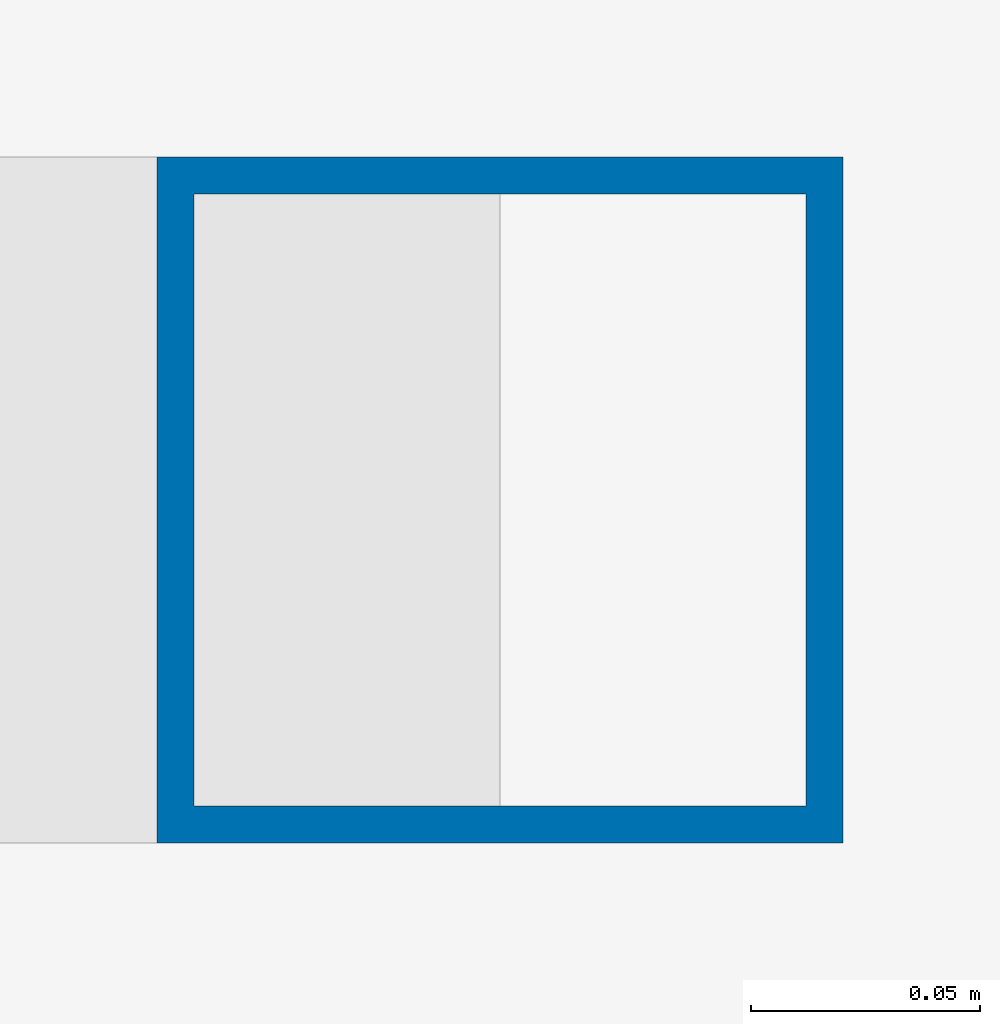
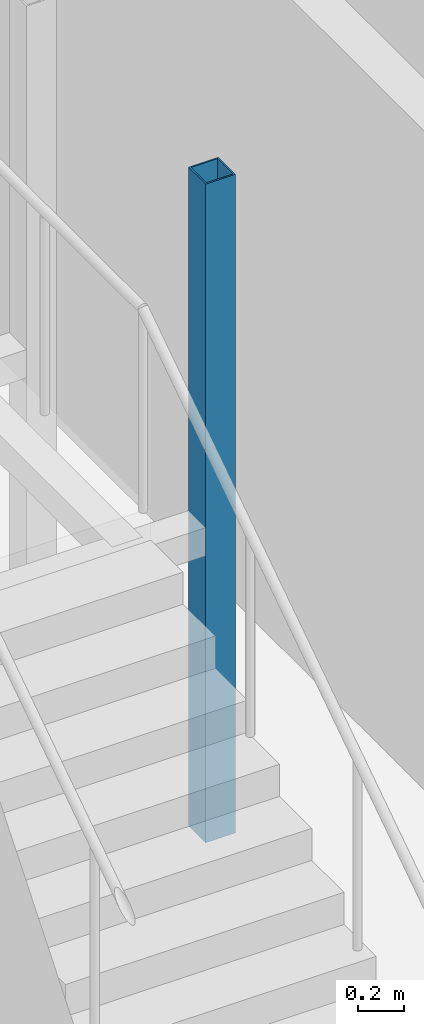
# One storey, part 2 of 29: 1 column.
"""IFC4 building model written with IfcOpenShell, lengths in metres."""

from ifc_helpers import new_model, si_unit, direction, frame, origin, origin_2d, place, context, subcontext, project, spatial, hollow_rectangle, extrude, material, material_profile, profile_set, type_object, element, save


model = new_model("IFC4")

# Units and contexts
model_context = context("Model", 3, precision=1e-05, world=origin(), true_north=direction((0.0, 1.0)))
body_context = subcontext(model_context, "Body", "Model", "MODEL_VIEW")
ifc_project = project(units=[si_unit("LENGTHUNIT", "METRE"), si_unit("AREAUNIT", "SQUARE_METRE"), si_unit("VOLUMEUNIT", "CUBIC_METRE"), si_unit("PLANEANGLEUNIT", "RADIAN"), si_unit("MASSUNIT", "GRAM", prefix="KILO")], contexts=[model_context])

# Site, building, storey
site_placement = place(None, origin())
site = spatial("IfcSite", under=ifc_project, at=site_placement, CompositionType="ELEMENT")
building_placement = place(site_placement, origin())
building = spatial("IfcBuilding", under=site, at=building_placement, Name="Orbita Commons", CompositionType="ELEMENT")
storey_placement = place(building_placement, frame((0.0, 0.0, 163.60009765625)))
storey = spatial("IfcBuildingStorey", under=building, at=storey_placement, Name="L40", CompositionType="ELEMENT", Elevation=163.60009765625)

# Column
ifc_material = material(Name="Steel ASTM A992", Category="steel")
ifc_material_profile = material_profile(ifc_material, hollow_rectangle(XDim=0.14990234375, YDim=0.14990234375, WallThickness=0.008056640625, at=origin_2d()), Name="SHS 150x150x8")
ifc_profile_set = profile_set([ifc_material_profile], Name="Steel ASTM A992")
column_type = type_object("IfcColumnType", Name="Landing post SHS 150x150x8", PredefinedType="COLUMN", material=ifc_profile_set)
column_placement = place(storey_placement, frame((14.550048828125, 40.675048828125, 0.0), z_axis=(0.0, 0.0, 1.0), x_axis=(1.0, 0.0, 0.0)))
element("IfcColumn", 1, at=column_placement, inside=storey, type_object=column_type, Name="Neighbourhood stair L40 to L41 landing post 2", PredefinedType="COLUMN", context=body_context, shape_type="SweptSolid", body=[
    extrude(hollow_rectangle(XDim=0.14990234375, YDim=0.14990234375, WallThickness=0.008056640625, at=origin_2d()), origin(), (0.0, 0.0, 1.0), 3.5),
])

save(model, "model.ifc")
